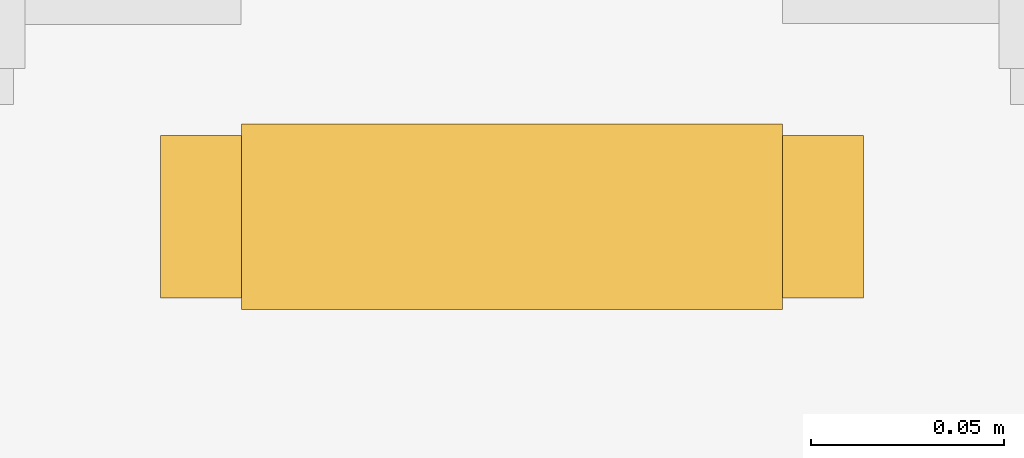
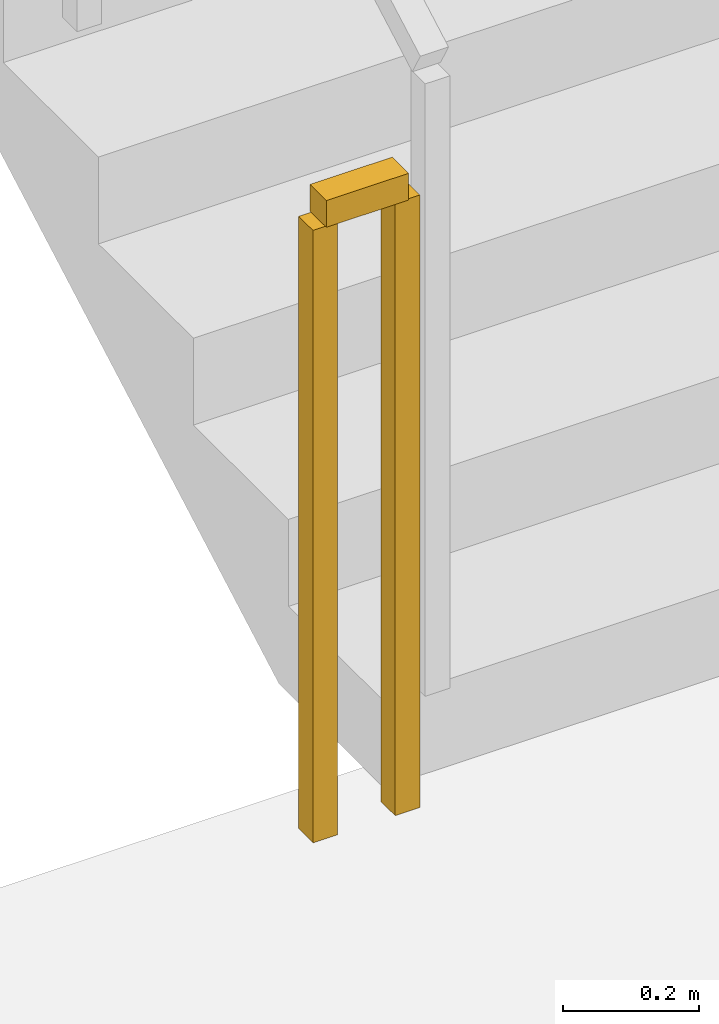
# One storey, part 8 of 10: 1 railing.
"""IFC4 building model written with IfcOpenShell, lengths in metres."""

from ifc_helpers import new_model, si_unit, direction, frame, origin, origin_2d, place, context, subcontext, project, spatial, rectangle, extrude, material, type_object, element, save


model = new_model("IFC4")

# Units and contexts
model_context = context("Model", 3, precision=1e-05, world=origin(), true_north=direction((0.0, 1.0)))
body_context = subcontext(model_context, "Body", "Model", "MODEL_VIEW")
ifc_project = project(units=[si_unit("LENGTHUNIT", "METRE"), si_unit("AREAUNIT", "SQUARE_METRE"), si_unit("VOLUMEUNIT", "CUBIC_METRE"), si_unit("PLANEANGLEUNIT", "RADIAN"), si_unit("MASSUNIT", "GRAM", prefix="KILO")], contexts=[model_context])

# Site, building, storey
site_placement = place(None, origin())
site = spatial("IfcSite", under=ifc_project, at=site_placement, CompositionType="ELEMENT")
building_placement = place(site_placement, origin())
building = spatial("IfcBuilding", under=site, at=building_placement, Name="Liaohun Quay Tower", CompositionType="ELEMENT")
storey_placement = place(building_placement, frame((0.0, 0.0, 166.5)))
storey = spatial("IfcBuildingStorey", under=building, at=storey_placement, Name="L43", CompositionType="ELEMENT", Elevation=166.5)

# Railing
ifc_material = material(Name="Painted tubular steel", Category="steel")
railing_type = type_object("IfcRailingType", Name="RLG-GUARD-STR", PredefinedType="GUARDRAIL", material=ifc_material)
railing_placement = place(storey_placement, frame((48.72998046875, 48.300048828125, 0.0)))
element("IfcRailing", 1, at=railing_placement, inside=storey, type_object=railing_type, Name="L43 ST-1 stair guard 4", PredefinedType="GUARDRAIL", context=body_context, shape_type="SweptSolid", body=[
    extrude(rectangle(XDim=0.048095703125, YDim=0.048095703125, at=origin_2d()), frame((0.0, 0.0, 1.1259765625), z_axis=(-1.0, 0.0, 0.0), x_axis=(0.0, -1.0, 0.0)), (0.0, 0.0, 1.0), 0.139892578125),
    extrude(rectangle(XDim=0.0419921875, YDim=0.0419921875, at=origin_2d()), origin(), (0.0, 0.0, 1.0), 1.101806640625),
    extrude(rectangle(XDim=0.0419921875, YDim=0.0419921875, at=origin_2d()), frame((-0.139892578125, 0.0, 0.0)), (0.0, 0.0, 1.0), 1.101806640625),
])

save(model, "model.ifc")
